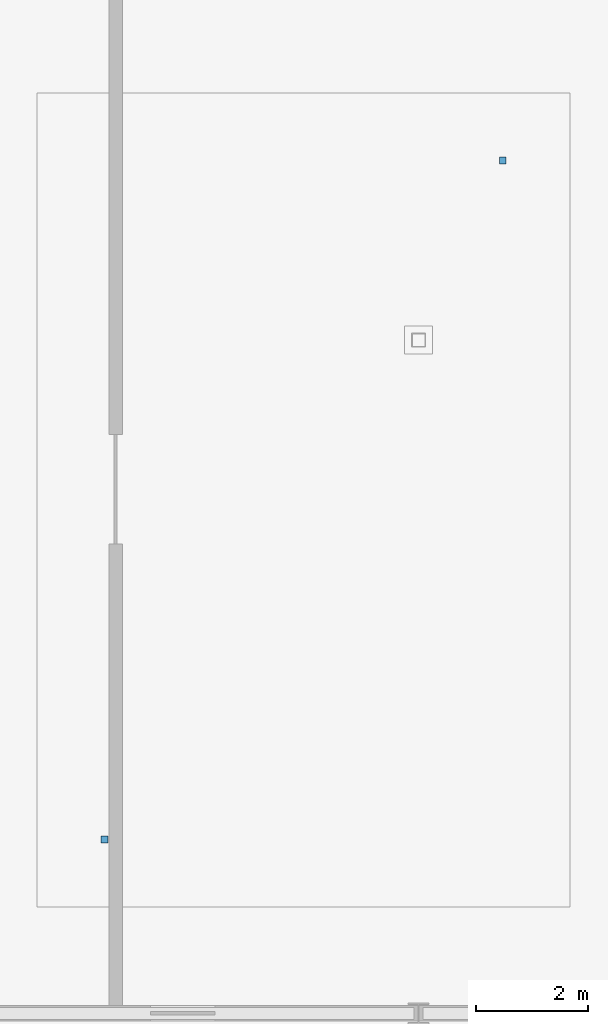
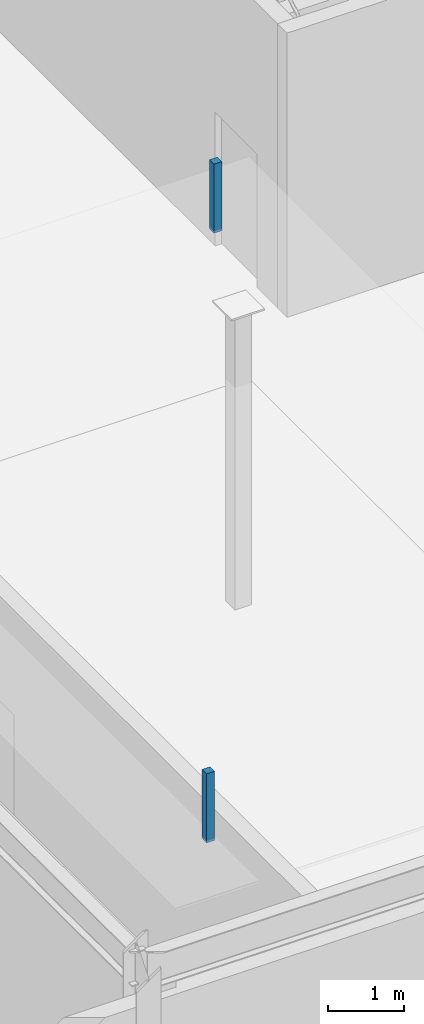
# One storey, part 104 of 116: 2 discrete accessories.
"""IFC4 building model written with IfcOpenShell, lengths in metres."""

import ifcopenshell
import ifcopenshell.guid

model = None  # the IFC model being written
_history = None  # IfcOwnerHistory: only IFC2X3 demands one
_inside = {}  # id of a spatial element -> (the spatial element, [elements in it])
_under = {}  # id of a project, library or spatial element -> (it, [spatial elements below it])
_declared = {}  # id of a project -> (the project, [libraries it declares])
_typed = {}  # id of a type object -> (the type object, [elements of that type])
_made_of = {}  # id of a material, layer set ... -> (it, [elements and type objects made of it])


def new_model(schema):
    """Start an empty IFC model of exactly this schema.

    Asked for "IFC4X3", IfcOpenShell would pick the latest addendum, in which some entities
    have other attributes; the version numbers below select the first issue.
    IFC2X3 requires an IfcOwnerHistory on every rooted entity: one is made here for all.
    """
    global model, _history
    if schema == "IFC4X3":
        model = ifcopenshell.file(schema_version=(4, 3, 0, 0))
    else:
        model = ifcopenshell.file(schema=schema)
    _inside.clear()
    _under.clear()
    _declared.clear()
    _typed.clear()
    _made_of.clear()
    _history = None
    if model.schema == "IFC2X3":
        org = make("IfcOrganization", Name="unknown")
        user = make(
            "IfcPersonAndOrganization",
            ThePerson=make("IfcPerson", FamilyName="unknown"),
            TheOrganization=org,
        )
        app = make(
            "IfcApplication",
            ApplicationDeveloper=org,
            Version="unknown",
            ApplicationFullName="unknown",
            ApplicationIdentifier="unknown",
        )
        _history = make(
            "IfcOwnerHistory",
            OwningUser=user,
            OwningApplication=app,
            ChangeAction="ADDED",
            CreationDate=0,
        )
    return model


def make(cls, **values):
    """One entity of the class cls with the attributes given. An attribute that is None is left unset."""
    return model.create_entity(
        cls, **{name: value for name, value in values.items() if value is not None}
    )


def rooted(cls, **values):
    """An entity with a GlobalId (a new one), such as an element, a storey or a relation."""
    return make(cls, GlobalId=ifcopenshell.guid.new(), OwnerHistory=_history, **values)


def si_unit(unit_type, name, prefix=None):
    """IfcSIUnit, for example si_unit("LENGTHUNIT", "METRE", prefix="MILLI")."""
    return make("IfcSIUnit", UnitType=unit_type, Prefix=prefix, Name=name)


def assignment(units):
    """IfcUnitAssignment: the units of a project."""
    return None if units is None else make("IfcUnitAssignment", Units=units)


def point(xyz):
    """IfcCartesianPoint."""
    return None if xyz is None else make("IfcCartesianPoint", Coordinates=xyz)


def direction(xyz):
    """IfcDirection."""
    return None if xyz is None else make("IfcDirection", DirectionRatios=xyz)


def frame(location, z_axis=None, x_axis=None):
    """IfcAxis2Placement3D, a coordinate frame: its origin and axes. An axis left out is left unset."""
    return make(
        "IfcAxis2Placement3D",
        Location=point(location),
        Axis=direction(z_axis),
        RefDirection=direction(x_axis),
    )


def frame_2d(location, x_axis=None):
    """IfcAxis2Placement2D, a coordinate frame in the plane: its origin and x axis."""
    return make(
        "IfcAxis2Placement2D", Location=point(location), RefDirection=direction(x_axis)
    )


def origin():
    """The frame at (0, 0, 0) with its axes left unset."""
    return frame((0.0, 0.0, 0.0))


def origin_2d():
    """The frame at (0, 0) in the plane with its x axis left unset."""
    return frame_2d((0.0, 0.0))


def place(relative_to, where):
    """IfcLocalPlacement: puts the frame where relative to a parent placement (None: the world)."""
    return make(
        "IfcLocalPlacement", PlacementRelTo=relative_to, RelativePlacement=where
    )


def context(
    kind, dimensions, precision=None, world=None, true_north=None, identifier=None
):
    """IfcGeometricRepresentationContext, for example the 3D "Model" context."""
    return make(
        "IfcGeometricRepresentationContext",
        ContextIdentifier=identifier,
        ContextType=kind,
        CoordinateSpaceDimension=dimensions,
        Precision=precision,
        WorldCoordinateSystem=world,
        TrueNorth=true_north,
    )


def subcontext(parent, identifier, kind, view, scale=None):
    """IfcGeometricRepresentationSubContext, for example "Body" below "Model"."""
    return make(
        "IfcGeometricRepresentationSubContext",
        ContextIdentifier=identifier,
        ContextType=kind,
        ParentContext=parent,
        TargetScale=scale,
        TargetView=view,
    )


def project(units=None, contexts=None):
    """IfcProject with its units and contexts."""
    return rooted(
        "IfcProject",
        Name="project",
        RepresentationContexts=contexts,
        UnitsInContext=assignment(units),
    )


def spatial(cls, under=None, at=None, **own):
    """A site, building, storey or space (cls), placed at a placement, below another one or the project."""
    s = rooted(cls, ObjectPlacement=at, **own)
    if under is not None:
        _under.setdefault(under.id(), (under, []))[1].append(s)
    return s


def profile(cls, at=None, kind="AREA", **sizes):
    """A parametric profile (cls). Its sizes go by their IFC names, for example OverallWidth=200.0."""
    return make(cls, ProfileType=kind, Position=at, **sizes)


def rectangle(**sizes):
    """IfcRectangleProfileDef."""
    return profile("IfcRectangleProfileDef", **sizes)


def extrude(swept, where, along, depth):
    """IfcExtrudedAreaSolid: the profile swept, set in the frame where, extruded along a direction by depth."""
    return make(
        "IfcExtrudedAreaSolid",
        SweptArea=swept,
        Position=where,
        ExtrudedDirection=direction(along),
        Depth=depth,
    )


def shape(context_of_items, identifier, shape_type, items):
    """IfcShapeRepresentation: the items that make up one representation, for example the "Body"."""
    return make(
        "IfcShapeRepresentation",
        ContextOfItems=context_of_items,
        RepresentationIdentifier=identifier,
        RepresentationType=shape_type,
        Items=items,
    )


def material(Name=None, Category=None):
    """IfcMaterial."""
    return make("IfcMaterial", Name=Name, Category=Category)


def made_of(thing, what):
    """Note that an element or type object is made of a material, layer set ...; save() writes the relation."""
    if what is not None:
        _made_of.setdefault(what.id(), (what, []))[1].append(thing)
    return thing


def type_object(cls, material=None, **own):
    """A type object (cls), such as IfcWallType, which elements share."""
    return made_of(rooted(cls, **own), material)


def element(
    cls,
    number,
    at=None,
    inside=None,
    cuts=None,
    type_object=None,
    material=None,
    context=None,
    identifier="Body",
    shape_type=None,
    held_by="IfcProductDefinitionShape",
    body=None,
    shapes=None,
    **own,
):
    """One element of the class cls, such as IfcWall. Its Tag is "e" and its number.

    at: its placement. inside: the storey or other place that contains it. cuts: it is an
    opening in that element (IfcRelVoidsElement). A single representation is given by context,
    identifier, shape_type and body (its items); several are given by shapes. held_by: the class
    of the entity that holds the representations. save() writes the other relations.
    """
    e = rooted(cls, Tag="e%d" % number, ObjectPlacement=at, **own)
    if body is not None:
        shapes = [shape(context, identifier, shape_type, body)]
    if shapes is not None:
        e.Representation = make(held_by, Representations=shapes)
    if inside is not None:
        _inside.setdefault(inside.id(), (inside, []))[1].append(e)
    if cuts is not None:
        rooted(
            "IfcRelVoidsElement", RelatingBuildingElement=cuts, RelatedOpeningElement=e
        )
    if type_object is not None:
        _typed.setdefault(type_object.id(), (type_object, []))[1].append(e)
    return made_of(e, material)


def aggregate(whole, parts):
    """IfcRelAggregates: a whole, such as a stair, and the parts it consists of."""
    return rooted("IfcRelAggregates", RelatingObject=whole, RelatedObjects=parts)


def save(model, path):
    """Write the relations noted so far, then the file.

    IfcRelAggregates (storeys below a building ...), IfcRelContainedInSpatialStructure (elements
    in a storey), IfcRelDefinesByType, IfcRelAssociatesMaterial and IfcRelDeclares: one each for
    every whole, place, type object, material and project.
    """
    for whole, parts in _under.values():
        aggregate(whole, parts)
    for where, things in _inside.values():
        rooted(
            "IfcRelContainedInSpatialStructure",
            RelatedElements=things,
            RelatingStructure=where,
        )
    for kind, things in _typed.values():
        rooted("IfcRelDefinesByType", RelatedObjects=things, RelatingType=kind)
    for what, things in _made_of.values():
        rooted("IfcRelAssociatesMaterial", RelatedObjects=things, RelatingMaterial=what)
    for by, libraries in _declared.values():
        rooted("IfcRelDeclares", RelatingContext=by, RelatedDefinitions=libraries)
    model.write(path)


model = new_model("IFC4")

# Units and contexts
model_context = context("Model", 3, precision=1e-05, world=origin(), true_north=direction((0.0, 1.0)))
body_context = subcontext(model_context, "Body", "Model", "MODEL_VIEW")
ifc_project = project(units=[si_unit("LENGTHUNIT", "METRE"), si_unit("AREAUNIT", "SQUARE_METRE"), si_unit("VOLUMEUNIT", "CUBIC_METRE"), si_unit("PLANEANGLEUNIT", "RADIAN"), si_unit("MASSUNIT", "GRAM", prefix="KILO")], contexts=[model_context])

# Site, building, storey
site_placement = place(None, origin())
site = spatial("IfcSite", under=ifc_project, at=site_placement, CompositionType="ELEMENT")
building_placement = place(site_placement, origin())
building = spatial("IfcBuilding", under=site, at=building_placement, Name="Selat Folded Stagehouse", CompositionType="ELEMENT")
storey_placement = place(building_placement, frame((0.0, 0.0, 5.39990234375)))
storey = spatial("IfcBuildingStorey", under=building, at=storey_placement, Name="L01", CompositionType="ELEMENT", Elevation=5.39990234375)

# Discrete accessories
ifc_material = material(Name="Galvanised steel acoustic hanger rod", Category="steel")
discrete_accessory_type = type_object("IfcDiscreteAccessoryType", Name="ACC-HGR-1110", PredefinedType="BRACKET", material=ifc_material)
for number, where, z_axis, x_axis, name in (
    (1, (11.199951171875, 57.699951171875, 3.56982421875), (0.0, 0.0, 1.0), (1.0, 0.0, 0.0), "L01 acoustic ceiling hanger CLG-L01-BBX-1"),
    (2, (18.300048828125, 69.800048828125, 3.56982421875), (0.0, 0.0, 1.0), (1.0, 0.0, 0.0), "L01 acoustic ceiling hanger CLG-L01-BBX-2"),
):
    element("IfcDiscreteAccessory", number, at=place(storey_placement, frame(where, z_axis=z_axis, x_axis=x_axis)), inside=storey, type_object=discrete_accessory_type, Name=name, PredefinedType="BRACKET", context=body_context, shape_type="SweptSolid", body=[
        extrude(rectangle(XDim=0.1201171875, YDim=0.1201171875, at=origin_2d()), origin(), (0.0, 0.0, 1.0), 1.110107421875),
    ])

save(model, "model.ifc")
